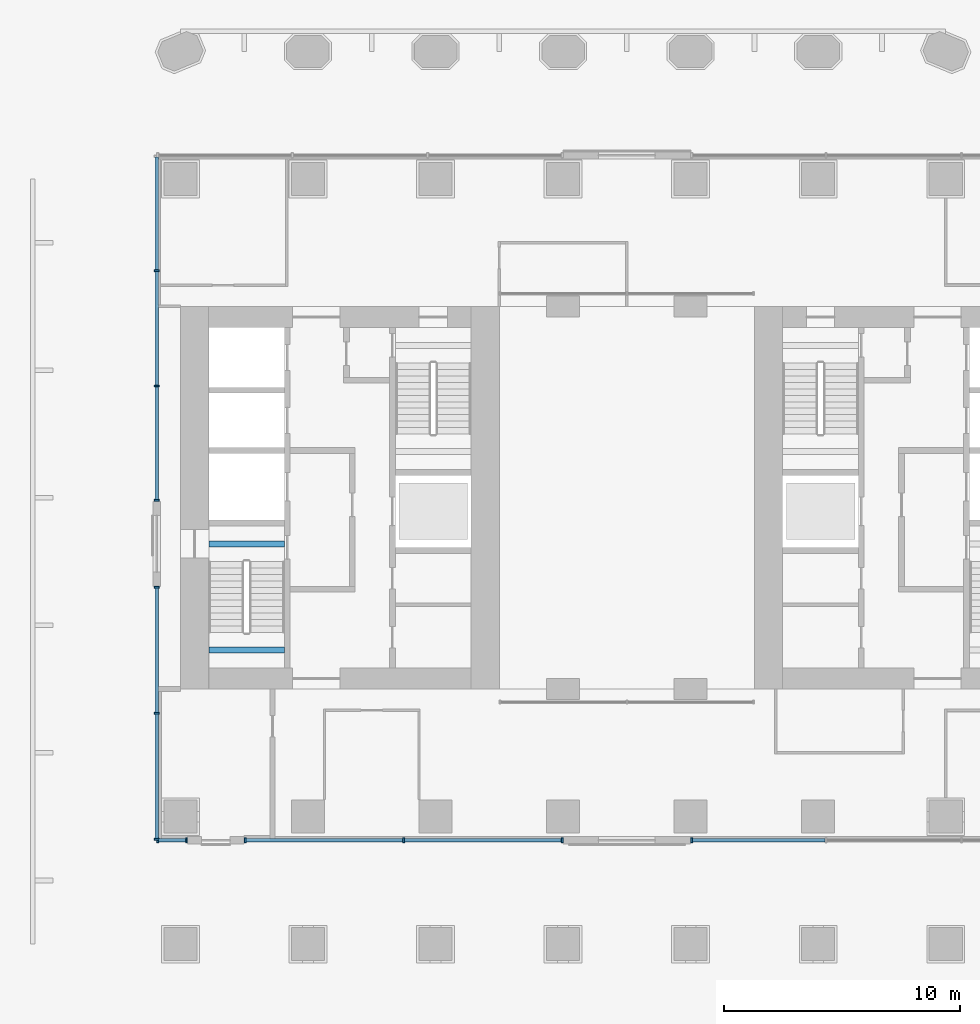
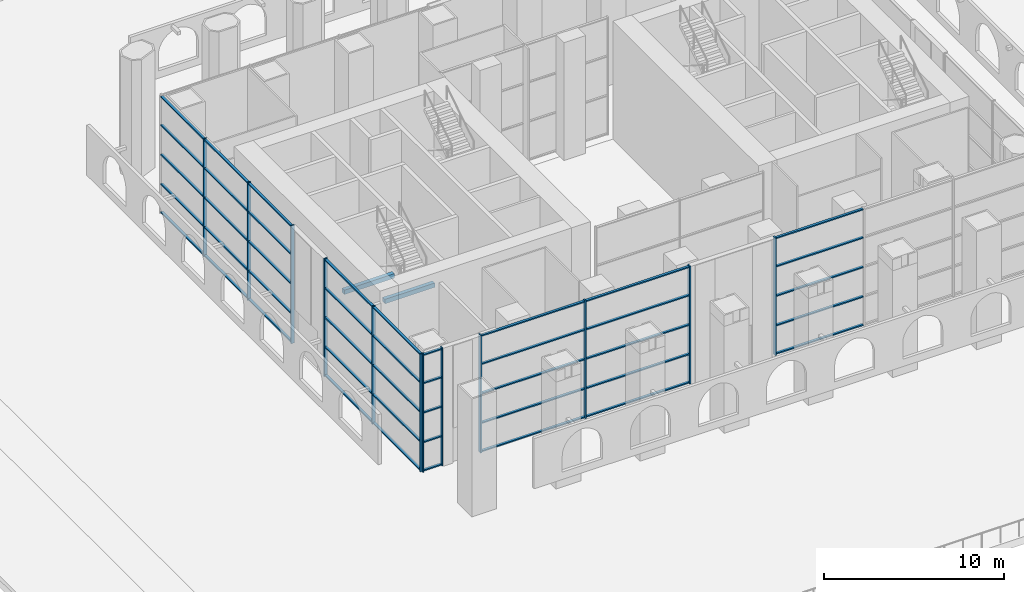
# One storey, part 8 of 54: 57 members, 2 beams, 5 elements without a shape of their own.
"""IFC4 building model written with IfcOpenShell, lengths in metres."""

from ifc_helpers import new_model, si_unit, direction, frame, origin, origin_2d, place, context, subcontext, project, spatial, rectangle, extrude, material, material_profile, profile_set, type_object, element, aggregate, save


model = new_model("IFC4")

# Units and contexts
model_context = context("Model", 3, precision=1e-05, world=origin(), true_north=direction((0.0, 1.0)))
body_context = subcontext(model_context, "Body", "Model", "MODEL_VIEW")
ifc_project = project(units=[si_unit("LENGTHUNIT", "METRE"), si_unit("AREAUNIT", "SQUARE_METRE"), si_unit("VOLUMEUNIT", "CUBIC_METRE"), si_unit("PLANEANGLEUNIT", "RADIAN"), si_unit("MASSUNIT", "GRAM", prefix="KILO")], contexts=[model_context])

# Site, building, storey
site_placement = place(None, origin())
site = spatial("IfcSite", under=ifc_project, at=site_placement, CompositionType="ELEMENT")
building_placement = place(site_placement, origin())
building = spatial("IfcBuilding", under=site, at=building_placement, Name="Tabaq Tower and Sports Hall", CompositionType="ELEMENT")
storey_placement = place(building_placement, origin())
storey = spatial("IfcBuildingStorey", under=building, at=storey_placement, Name="L00", CompositionType="ELEMENT", Elevation=0.0)

# Curtain wall, member
ifc_material_1 = material(Name="Aluminium alloy 6063-T6 framed glazing", Category="aluminium")
curtain_wall_type = type_object("IfcCurtainWallType", Name="CW4 curtain wall", PredefinedType="USERDEFINED", material=ifc_material_1)
curtain_wall_1_placement = place(storey_placement, origin())
curtain_wall_1 = element("IfcCurtainWall", 1, at=curtain_wall_1_placement, inside=storey, type_object=curtain_wall_type, Name="Ground lobby wall S", ObjectType="GROUND LOBBY WALL", PredefinedType="USERDEFINED")
ifc_material_2 = material(Name="Aluminium alloy 6063-T6", Category="aluminium")
ifc_material_profile_1 = material_profile(ifc_material_2, rectangle(XDim=0.219970703125, YDim=0.080078125, at=origin_2d()), Name="MULLION 220x80")
ifc_profile_set_1 = profile_set([ifc_material_profile_1], Name="Aluminium alloy 6063-T6")
member_type_1 = type_object("IfcMemberType", Name="CW4 mullion 220x80", PredefinedType="MULLION", material=ifc_profile_set_1)
member_1_placement = place(storey_placement, frame((27.0400390625, 9.800048828125, 0.0), z_axis=(0.0, 0.0, 1.0), x_axis=(0.0, -1.0, 0.0)))
member_1 = element("IfcMember", 2, at=member_1_placement, type_object=member_type_1, Name="CW4 mullion 4", PredefinedType="MULLION", context=body_context, shape_type="SweptSolid", body=[
    extrude(rectangle(XDim=0.219970703125, YDim=0.080078125, at=origin_2d()), origin(), (0.0, 0.0, 1.0), 8.0),
])

# Curtain wall, members
curtain_wall_2_placement = place(storey_placement, origin())
curtain_wall_2 = element("IfcCurtainWall", 3, at=curtain_wall_2_placement, inside=storey, type_object=curtain_wall_type, Name="Ground lobby wall S", ObjectType="GROUND LOBBY WALL", PredefinedType="USERDEFINED")
member_2_placement = place(storey_placement, frame((21.56005859375, 9.800048828125, 0.0), z_axis=(0.0, 0.0, 1.0), x_axis=(0.0, -1.0, 0.0)))
member_2 = element("IfcMember", 4, at=member_2_placement, type_object=member_type_1, Name="CW4 mullion 1", PredefinedType="MULLION", context=body_context, shape_type="SweptSolid", body=[
    extrude(rectangle(XDim=0.219970703125, YDim=0.080078125, at=origin_2d()), origin(), (0.0, 0.0, 1.0), 8.0),
])
member_3_placement = place(storey_placement, frame((14.85009765625, 9.800048828125, 0.0), z_axis=(0.0, 0.0, 1.0), x_axis=(0.0, -1.0, 0.0)))
member_3 = element("IfcMember", 5, at=member_3_placement, type_object=member_type_1, Name="CW4 mullion 2", PredefinedType="MULLION", context=body_context, shape_type="SweptSolid", body=[
    extrude(rectangle(XDim=0.219970703125, YDim=0.080078125, at=origin_2d()), origin(), (0.0, 0.0, 1.0), 8.0),
])
member_4_placement = place(storey_placement, frame((8.139892578125, 9.800048828125, 0.0), z_axis=(0.0, 0.0, 1.0), x_axis=(0.0, -1.0, 0.0)))
member_4 = element("IfcMember", 6, at=member_4_placement, type_object=member_type_1, Name="CW4 mullion 3", PredefinedType="MULLION", context=body_context, shape_type="SweptSolid", body=[
    extrude(rectangle(XDim=0.219970703125, YDim=0.080078125, at=origin_2d()), origin(), (0.0, 0.0, 1.0), 8.0),
])

curtain_wall_3_placement = place(storey_placement, origin())
curtain_wall_3 = element("IfcCurtainWall", 7, at=curtain_wall_3_placement, inside=storey, type_object=curtain_wall_type, Name="Ground lobby wall S", ObjectType="GROUND LOBBY WALL", PredefinedType="USERDEFINED")
member_5_placement = place(storey_placement, frame((5.659912109375, 9.800048828125, 0.0), z_axis=(0.0, 0.0, 1.0), x_axis=(0.0, -1.0, 0.0)))
member_5 = element("IfcMember", 8, at=member_5_placement, type_object=member_type_1, Name="CW4 mullion 1", PredefinedType="MULLION", context=body_context, shape_type="SweptSolid", body=[
    extrude(rectangle(XDim=0.219970703125, YDim=0.080078125, at=origin_2d()), origin(), (0.0, 0.0, 1.0), 8.0),
])
member_6_placement = place(storey_placement, frame((4.43994140625, 9.800048828125, 0.0), z_axis=(0.0, 0.0, 1.0), x_axis=(0.0, -1.0, 0.0)))
member_6 = element("IfcMember", 9, at=member_6_placement, type_object=member_type_1, Name="CW4 mullion 2", PredefinedType="MULLION", context=body_context, shape_type="SweptSolid", body=[
    extrude(rectangle(XDim=0.219970703125, YDim=0.080078125, at=origin_2d()), origin(), (0.0, 0.0, 1.0), 8.0),
])

curtain_wall_4_placement = place(storey_placement, origin())
curtain_wall_4 = element("IfcCurtainWall", 10, at=curtain_wall_4_placement, inside=storey, type_object=curtain_wall_type, Name="Ground lobby wall W", ObjectType="GROUND LOBBY WALL", PredefinedType="USERDEFINED")
member_7_placement = place(storey_placement, frame((4.39990234375, 9.840087890625, 0.0), z_axis=(0.0, 0.0, 1.0), x_axis=(-1.0, 0.0, 0.0)))
member_7 = element("IfcMember", 11, at=member_7_placement, type_object=member_type_1, Name="CW4 mullion 1", PredefinedType="MULLION", context=body_context, shape_type="SweptSolid", body=[
    extrude(rectangle(XDim=0.219970703125, YDim=0.080078125, at=origin_2d()), origin(), (0.0, 0.0, 1.0), 8.0),
])
member_8_placement = place(storey_placement, frame((4.39990234375, 15.175048828125, 0.0), z_axis=(0.0, 0.0, 1.0), x_axis=(-1.0, 0.0, 0.0)))
member_8 = element("IfcMember", 12, at=member_8_placement, type_object=member_type_1, Name="CW4 mullion 2", PredefinedType="MULLION", context=body_context, shape_type="SweptSolid", body=[
    extrude(rectangle(XDim=0.219970703125, YDim=0.080078125, at=origin_2d()), origin(), (0.0, 0.0, 1.0), 8.0),
])
member_9_placement = place(storey_placement, frame((4.39990234375, 20.510009765625, 0.0), z_axis=(0.0, 0.0, 1.0), x_axis=(-1.0, 0.0, 0.0)))
member_9 = element("IfcMember", 13, at=member_9_placement, type_object=member_type_1, Name="CW4 mullion 3", PredefinedType="MULLION", context=body_context, shape_type="SweptSolid", body=[
    extrude(rectangle(XDim=0.219970703125, YDim=0.080078125, at=origin_2d()), origin(), (0.0, 0.0, 1.0), 8.0),
])

curtain_wall_5_placement = place(storey_placement, origin())
curtain_wall_5 = element("IfcCurtainWall", 14, at=curtain_wall_5_placement, inside=storey, type_object=curtain_wall_type, Name="Ground lobby wall W", ObjectType="GROUND LOBBY WALL", PredefinedType="USERDEFINED")
member_10_placement = place(storey_placement, frame((4.39990234375, 24.18994140625, 0.0), z_axis=(0.0, 0.0, 1.0), x_axis=(-1.0, 0.0, 0.0)))
member_10 = element("IfcMember", 15, at=member_10_placement, type_object=member_type_1, Name="CW4 mullion 1", PredefinedType="MULLION", context=body_context, shape_type="SweptSolid", body=[
    extrude(rectangle(XDim=0.219970703125, YDim=0.080078125, at=origin_2d()), origin(), (0.0, 0.0, 1.0), 8.0),
])
member_11_placement = place(storey_placement, frame((4.39990234375, 29.033447265625, 0.0), z_axis=(0.0, 0.0, 1.0), x_axis=(-1.0, 0.0, 0.0)))
member_11 = element("IfcMember", 16, at=member_11_placement, type_object=member_type_1, Name="CW4 mullion 2", PredefinedType="MULLION", context=body_context, shape_type="SweptSolid", body=[
    extrude(rectangle(XDim=0.219970703125, YDim=0.080078125, at=origin_2d()), origin(), (0.0, 0.0, 1.0), 8.0),
])
member_12_placement = place(storey_placement, frame((4.39990234375, 33.916748046875, 0.0), z_axis=(0.0, 0.0, 1.0), x_axis=(-1.0, 0.0, 0.0)))
member_12 = element("IfcMember", 17, at=member_12_placement, type_object=member_type_1, Name="CW4 mullion 3", PredefinedType="MULLION", context=body_context, shape_type="SweptSolid", body=[
    extrude(rectangle(XDim=0.219970703125, YDim=0.080078125, at=origin_2d()), origin(), (0.0, 0.0, 1.0), 8.0),
])

# Member
ifc_material_3 = material(Name="Aluminium alloy 6063-T6", Category="aluminium")
ifc_material_profile_2 = material_profile(ifc_material_3, rectangle(XDim=0.159912109375, YDim=0.080078125, at=origin_2d()), Name="TRANSOM 160x80")
ifc_profile_set_2 = profile_set([ifc_material_profile_2], Name="Aluminium alloy 6063-T6")
member_type_2 = type_object("IfcMemberType", Name="CW4 transom 160x80", PredefinedType="USERDEFINED", material=ifc_profile_set_2)
member_13_placement = place(storey_placement, frame((32.693359375, 9.800048828125, 0.080078125), z_axis=(-1.0, 0.0, 0.0), x_axis=(0.0, -1.0, 0.0)))
member_13 = element("IfcMember", 18, at=member_13_placement, type_object=member_type_2, Name="CW4 transom 3.1", ObjectType="TRANSOM", PredefinedType="USERDEFINED", context=body_context, shape_type="SweptSolid", body=[
    extrude(rectangle(XDim=0.159912109375, YDim=0.080078125, at=origin_2d()), origin(), (0.0, 0.0, 1.0), 5.61328125),
])

member_14_placement = place(storey_placement, frame((32.693359375, 9.800048828125, 2.0), z_axis=(-1.0, 0.0, 0.0), x_axis=(0.0, -1.0, 0.0)))
member_14 = element("IfcMember", 19, at=member_14_placement, type_object=member_type_2, Name="CW4 transom 3.2", ObjectType="TRANSOM", PredefinedType="USERDEFINED", context=body_context, shape_type="SweptSolid", body=[
    extrude(rectangle(XDim=0.159912109375, YDim=0.080078125, at=origin_2d()), origin(), (0.0, 0.0, 1.0), 5.61328125),
])

member_15_placement = place(storey_placement, frame((32.693359375, 9.800048828125, 4.0), z_axis=(-1.0, 0.0, 0.0), x_axis=(0.0, -1.0, 0.0)))
member_15 = element("IfcMember", 20, at=member_15_placement, type_object=member_type_2, Name="CW4 transom 3.3", ObjectType="TRANSOM", PredefinedType="USERDEFINED", context=body_context, shape_type="SweptSolid", body=[
    extrude(rectangle(XDim=0.159912109375, YDim=0.080078125, at=origin_2d()), origin(), (0.0, 0.0, 1.0), 5.61328125),
])

member_16_placement = place(storey_placement, frame((32.693359375, 9.800048828125, 6.0), z_axis=(-1.0, 0.0, 0.0), x_axis=(0.0, -1.0, 0.0)))
member_16 = element("IfcMember", 21, at=member_16_placement, type_object=member_type_2, Name="CW4 transom 3.4", ObjectType="TRANSOM", PredefinedType="USERDEFINED", context=body_context, shape_type="SweptSolid", body=[
    extrude(rectangle(XDim=0.159912109375, YDim=0.080078125, at=origin_2d()), origin(), (0.0, 0.0, 1.0), 5.61328125),
])

member_17_placement = place(storey_placement, frame((32.693359375, 9.800048828125, 7.919921875), z_axis=(-1.0, 0.0, 0.0), x_axis=(0.0, -1.0, 0.0)))
member_17 = element("IfcMember", 22, at=member_17_placement, type_object=member_type_2, Name="CW4 transom 3.5", ObjectType="TRANSOM", PredefinedType="USERDEFINED", context=body_context, shape_type="SweptSolid", body=[
    extrude(rectangle(XDim=0.159912109375, YDim=0.080078125, at=origin_2d()), origin(), (0.0, 0.0, 1.0), 5.61328125),
])

aggregate(curtain_wall_1, [member_1, member_13, member_14, member_15, member_16, member_17])

member_18_placement = place(storey_placement, frame((21.52001953125, 9.800048828125, 0.080078125), z_axis=(-1.0, 0.0, 0.0), x_axis=(0.0, -1.0, 0.0)))
member_18 = element("IfcMember", 23, at=member_18_placement, type_object=member_type_2, Name="CW4 transom 1.1", ObjectType="TRANSOM", PredefinedType="USERDEFINED", context=body_context, shape_type="SweptSolid", body=[
    extrude(rectangle(XDim=0.159912109375, YDim=0.080078125, at=origin_2d()), origin(), (0.0, 0.0, 1.0), 6.630126953125),
])

member_19_placement = place(storey_placement, frame((21.52001953125, 9.800048828125, 2.0), z_axis=(-1.0, 0.0, 0.0), x_axis=(0.0, -1.0, 0.0)))
member_19 = element("IfcMember", 24, at=member_19_placement, type_object=member_type_2, Name="CW4 transom 1.2", ObjectType="TRANSOM", PredefinedType="USERDEFINED", context=body_context, shape_type="SweptSolid", body=[
    extrude(rectangle(XDim=0.159912109375, YDim=0.080078125, at=origin_2d()), origin(), (0.0, 0.0, 1.0), 6.630126953125),
])

member_20_placement = place(storey_placement, frame((21.52001953125, 9.800048828125, 4.0), z_axis=(-1.0, 0.0, 0.0), x_axis=(0.0, -1.0, 0.0)))
member_20 = element("IfcMember", 25, at=member_20_placement, type_object=member_type_2, Name="CW4 transom 1.3", ObjectType="TRANSOM", PredefinedType="USERDEFINED", context=body_context, shape_type="SweptSolid", body=[
    extrude(rectangle(XDim=0.159912109375, YDim=0.080078125, at=origin_2d()), origin(), (0.0, 0.0, 1.0), 6.630126953125),
])

member_21_placement = place(storey_placement, frame((21.52001953125, 9.800048828125, 6.0), z_axis=(-1.0, 0.0, 0.0), x_axis=(0.0, -1.0, 0.0)))
member_21 = element("IfcMember", 26, at=member_21_placement, type_object=member_type_2, Name="CW4 transom 1.4", ObjectType="TRANSOM", PredefinedType="USERDEFINED", context=body_context, shape_type="SweptSolid", body=[
    extrude(rectangle(XDim=0.159912109375, YDim=0.080078125, at=origin_2d()), origin(), (0.0, 0.0, 1.0), 6.630126953125),
])

member_22_placement = place(storey_placement, frame((21.52001953125, 9.800048828125, 7.919921875), z_axis=(-1.0, 0.0, 0.0), x_axis=(0.0, -1.0, 0.0)))
member_22 = element("IfcMember", 27, at=member_22_placement, type_object=member_type_2, Name="CW4 transom 1.5", ObjectType="TRANSOM", PredefinedType="USERDEFINED", context=body_context, shape_type="SweptSolid", body=[
    extrude(rectangle(XDim=0.159912109375, YDim=0.080078125, at=origin_2d()), origin(), (0.0, 0.0, 1.0), 6.630126953125),
])

member_23_placement = place(storey_placement, frame((14.81005859375, 9.800048828125, 0.080078125), z_axis=(-1.0, 0.0, 0.0), x_axis=(0.0, -1.0, 0.0)))
member_23 = element("IfcMember", 28, at=member_23_placement, type_object=member_type_2, Name="CW4 transom 2.1", ObjectType="TRANSOM", PredefinedType="USERDEFINED", context=body_context, shape_type="SweptSolid", body=[
    extrude(rectangle(XDim=0.159912109375, YDim=0.080078125, at=origin_2d()), origin(), (0.0, 0.0, 1.0), 6.630126953125),
])

member_24_placement = place(storey_placement, frame((14.81005859375, 9.800048828125, 2.0), z_axis=(-1.0, 0.0, 0.0), x_axis=(0.0, -1.0, 0.0)))
member_24 = element("IfcMember", 29, at=member_24_placement, type_object=member_type_2, Name="CW4 transom 2.2", ObjectType="TRANSOM", PredefinedType="USERDEFINED", context=body_context, shape_type="SweptSolid", body=[
    extrude(rectangle(XDim=0.159912109375, YDim=0.080078125, at=origin_2d()), origin(), (0.0, 0.0, 1.0), 6.630126953125),
])

member_25_placement = place(storey_placement, frame((14.81005859375, 9.800048828125, 4.0), z_axis=(-1.0, 0.0, 0.0), x_axis=(0.0, -1.0, 0.0)))
member_25 = element("IfcMember", 30, at=member_25_placement, type_object=member_type_2, Name="CW4 transom 2.3", ObjectType="TRANSOM", PredefinedType="USERDEFINED", context=body_context, shape_type="SweptSolid", body=[
    extrude(rectangle(XDim=0.159912109375, YDim=0.080078125, at=origin_2d()), origin(), (0.0, 0.0, 1.0), 6.630126953125),
])

member_26_placement = place(storey_placement, frame((14.81005859375, 9.800048828125, 6.0), z_axis=(-1.0, 0.0, 0.0), x_axis=(0.0, -1.0, 0.0)))
member_26 = element("IfcMember", 31, at=member_26_placement, type_object=member_type_2, Name="CW4 transom 2.4", ObjectType="TRANSOM", PredefinedType="USERDEFINED", context=body_context, shape_type="SweptSolid", body=[
    extrude(rectangle(XDim=0.159912109375, YDim=0.080078125, at=origin_2d()), origin(), (0.0, 0.0, 1.0), 6.630126953125),
])

member_27_placement = place(storey_placement, frame((14.81005859375, 9.800048828125, 7.919921875), z_axis=(-1.0, 0.0, 0.0), x_axis=(0.0, -1.0, 0.0)))
member_27 = element("IfcMember", 32, at=member_27_placement, type_object=member_type_2, Name="CW4 transom 2.5", ObjectType="TRANSOM", PredefinedType="USERDEFINED", context=body_context, shape_type="SweptSolid", body=[
    extrude(rectangle(XDim=0.159912109375, YDim=0.080078125, at=origin_2d()), origin(), (0.0, 0.0, 1.0), 6.630126953125),
])

aggregate(curtain_wall_2, [member_2, member_3, member_4, member_18, member_19, member_20, member_21, member_22, member_23, member_24, member_25, member_26, member_27])

member_28_placement = place(storey_placement, frame((5.6201171875, 9.800048828125, 0.080078125), z_axis=(-1.0, 0.0, 0.0), x_axis=(0.0, -1.0, 0.0)))
member_28 = element("IfcMember", 33, at=member_28_placement, type_object=member_type_2, Name="CW4 transom 1.1", ObjectType="TRANSOM", PredefinedType="USERDEFINED", context=body_context, shape_type="SweptSolid", body=[
    extrude(rectangle(XDim=0.159912109375, YDim=0.080078125, at=origin_2d()), origin(), (0.0, 0.0, 1.0), 1.14013671875),
])

member_29_placement = place(storey_placement, frame((5.6201171875, 9.800048828125, 2.0), z_axis=(-1.0, 0.0, 0.0), x_axis=(0.0, -1.0, 0.0)))
member_29 = element("IfcMember", 34, at=member_29_placement, type_object=member_type_2, Name="CW4 transom 1.2", ObjectType="TRANSOM", PredefinedType="USERDEFINED", context=body_context, shape_type="SweptSolid", body=[
    extrude(rectangle(XDim=0.159912109375, YDim=0.080078125, at=origin_2d()), origin(), (0.0, 0.0, 1.0), 1.14013671875),
])

member_30_placement = place(storey_placement, frame((5.6201171875, 9.800048828125, 4.0), z_axis=(-1.0, 0.0, 0.0), x_axis=(0.0, -1.0, 0.0)))
member_30 = element("IfcMember", 35, at=member_30_placement, type_object=member_type_2, Name="CW4 transom 1.3", ObjectType="TRANSOM", PredefinedType="USERDEFINED", context=body_context, shape_type="SweptSolid", body=[
    extrude(rectangle(XDim=0.159912109375, YDim=0.080078125, at=origin_2d()), origin(), (0.0, 0.0, 1.0), 1.14013671875),
])

member_31_placement = place(storey_placement, frame((5.6201171875, 9.800048828125, 6.0), z_axis=(-1.0, 0.0, 0.0), x_axis=(0.0, -1.0, 0.0)))
member_31 = element("IfcMember", 36, at=member_31_placement, type_object=member_type_2, Name="CW4 transom 1.4", ObjectType="TRANSOM", PredefinedType="USERDEFINED", context=body_context, shape_type="SweptSolid", body=[
    extrude(rectangle(XDim=0.159912109375, YDim=0.080078125, at=origin_2d()), origin(), (0.0, 0.0, 1.0), 1.14013671875),
])

member_32_placement = place(storey_placement, frame((5.6201171875, 9.800048828125, 7.919921875), z_axis=(-1.0, 0.0, 0.0), x_axis=(0.0, -1.0, 0.0)))
member_32 = element("IfcMember", 37, at=member_32_placement, type_object=member_type_2, Name="CW4 transom 1.5", ObjectType="TRANSOM", PredefinedType="USERDEFINED", context=body_context, shape_type="SweptSolid", body=[
    extrude(rectangle(XDim=0.159912109375, YDim=0.080078125, at=origin_2d()), origin(), (0.0, 0.0, 1.0), 1.14013671875),
])

aggregate(curtain_wall_3, [member_5, member_6, member_28, member_29, member_30, member_31, member_32])

member_33_placement = place(storey_placement, frame((4.39990234375, 9.8798828125, 0.080078125), z_axis=(0.0, 1.0, 0.0), x_axis=(-1.0, 0.0, 0.0)))
member_33 = element("IfcMember", 38, at=member_33_placement, type_object=member_type_2, Name="CW4 transom 1.1", ObjectType="TRANSOM", PredefinedType="USERDEFINED", context=body_context, shape_type="SweptSolid", body=[
    extrude(rectangle(XDim=0.159912109375, YDim=0.080078125, at=origin_2d()), origin(), (0.0, 0.0, 1.0), 5.255126953125),
])

member_34_placement = place(storey_placement, frame((4.39990234375, 9.8798828125, 2.0), z_axis=(0.0, 1.0, 0.0), x_axis=(-1.0, 0.0, 0.0)))
member_34 = element("IfcMember", 39, at=member_34_placement, type_object=member_type_2, Name="CW4 transom 1.2", ObjectType="TRANSOM", PredefinedType="USERDEFINED", context=body_context, shape_type="SweptSolid", body=[
    extrude(rectangle(XDim=0.159912109375, YDim=0.080078125, at=origin_2d()), origin(), (0.0, 0.0, 1.0), 5.255126953125),
])

member_35_placement = place(storey_placement, frame((4.39990234375, 9.8798828125, 4.0), z_axis=(0.0, 1.0, 0.0), x_axis=(-1.0, 0.0, 0.0)))
member_35 = element("IfcMember", 40, at=member_35_placement, type_object=member_type_2, Name="CW4 transom 1.3", ObjectType="TRANSOM", PredefinedType="USERDEFINED", context=body_context, shape_type="SweptSolid", body=[
    extrude(rectangle(XDim=0.159912109375, YDim=0.080078125, at=origin_2d()), origin(), (0.0, 0.0, 1.0), 5.255126953125),
])

member_36_placement = place(storey_placement, frame((4.39990234375, 9.8798828125, 6.0), z_axis=(0.0, 1.0, 0.0), x_axis=(-1.0, 0.0, 0.0)))
member_36 = element("IfcMember", 41, at=member_36_placement, type_object=member_type_2, Name="CW4 transom 1.4", ObjectType="TRANSOM", PredefinedType="USERDEFINED", context=body_context, shape_type="SweptSolid", body=[
    extrude(rectangle(XDim=0.159912109375, YDim=0.080078125, at=origin_2d()), origin(), (0.0, 0.0, 1.0), 5.255126953125),
])

member_37_placement = place(storey_placement, frame((4.39990234375, 9.8798828125, 7.919921875), z_axis=(0.0, 1.0, 0.0), x_axis=(-1.0, 0.0, 0.0)))
member_37 = element("IfcMember", 42, at=member_37_placement, type_object=member_type_2, Name="CW4 transom 1.5", ObjectType="TRANSOM", PredefinedType="USERDEFINED", context=body_context, shape_type="SweptSolid", body=[
    extrude(rectangle(XDim=0.159912109375, YDim=0.080078125, at=origin_2d()), origin(), (0.0, 0.0, 1.0), 5.255126953125),
])

member_38_placement = place(storey_placement, frame((4.39990234375, 15.215087890625, 0.080078125), z_axis=(0.0, 1.0, 0.0), x_axis=(-1.0, 0.0, 0.0)))
member_38 = element("IfcMember", 43, at=member_38_placement, type_object=member_type_2, Name="CW4 transom 2.1", ObjectType="TRANSOM", PredefinedType="USERDEFINED", context=body_context, shape_type="SweptSolid", body=[
    extrude(rectangle(XDim=0.159912109375, YDim=0.080078125, at=origin_2d()), origin(), (0.0, 0.0, 1.0), 5.2548828125),
])

member_39_placement = place(storey_placement, frame((4.39990234375, 15.215087890625, 2.0), z_axis=(0.0, 1.0, 0.0), x_axis=(-1.0, 0.0, 0.0)))
member_39 = element("IfcMember", 44, at=member_39_placement, type_object=member_type_2, Name="CW4 transom 2.2", ObjectType="TRANSOM", PredefinedType="USERDEFINED", context=body_context, shape_type="SweptSolid", body=[
    extrude(rectangle(XDim=0.159912109375, YDim=0.080078125, at=origin_2d()), origin(), (0.0, 0.0, 1.0), 5.2548828125),
])

member_40_placement = place(storey_placement, frame((4.39990234375, 15.215087890625, 4.0), z_axis=(0.0, 1.0, 0.0), x_axis=(-1.0, 0.0, 0.0)))
member_40 = element("IfcMember", 45, at=member_40_placement, type_object=member_type_2, Name="CW4 transom 2.3", ObjectType="TRANSOM", PredefinedType="USERDEFINED", context=body_context, shape_type="SweptSolid", body=[
    extrude(rectangle(XDim=0.159912109375, YDim=0.080078125, at=origin_2d()), origin(), (0.0, 0.0, 1.0), 5.2548828125),
])

member_41_placement = place(storey_placement, frame((4.39990234375, 15.215087890625, 6.0), z_axis=(0.0, 1.0, 0.0), x_axis=(-1.0, 0.0, 0.0)))
member_41 = element("IfcMember", 46, at=member_41_placement, type_object=member_type_2, Name="CW4 transom 2.4", ObjectType="TRANSOM", PredefinedType="USERDEFINED", context=body_context, shape_type="SweptSolid", body=[
    extrude(rectangle(XDim=0.159912109375, YDim=0.080078125, at=origin_2d()), origin(), (0.0, 0.0, 1.0), 5.2548828125),
])

member_42_placement = place(storey_placement, frame((4.39990234375, 15.215087890625, 7.919921875), z_axis=(0.0, 1.0, 0.0), x_axis=(-1.0, 0.0, 0.0)))
member_42 = element("IfcMember", 47, at=member_42_placement, type_object=member_type_2, Name="CW4 transom 2.5", ObjectType="TRANSOM", PredefinedType="USERDEFINED", context=body_context, shape_type="SweptSolid", body=[
    extrude(rectangle(XDim=0.159912109375, YDim=0.080078125, at=origin_2d()), origin(), (0.0, 0.0, 1.0), 5.2548828125),
])

aggregate(curtain_wall_4, [member_7, member_8, member_9, member_33, member_34, member_35, member_36, member_37, member_38, member_39, member_40, member_41, member_42])

member_43_placement = place(storey_placement, frame((4.39990234375, 24.22998046875, 0.080078125), z_axis=(0.0, 1.0, 0.0), x_axis=(-1.0, 0.0, 0.0)))
member_43 = element("IfcMember", 48, at=member_43_placement, type_object=member_type_2, Name="CW4 transom 1.1", ObjectType="TRANSOM", PredefinedType="USERDEFINED", context=body_context, shape_type="SweptSolid", body=[
    extrude(rectangle(XDim=0.159912109375, YDim=0.080078125, at=origin_2d()), origin(), (0.0, 0.0, 1.0), 4.763427734375),
])

member_44_placement = place(storey_placement, frame((4.39990234375, 24.22998046875, 2.0), z_axis=(0.0, 1.0, 0.0), x_axis=(-1.0, 0.0, 0.0)))
member_44 = element("IfcMember", 49, at=member_44_placement, type_object=member_type_2, Name="CW4 transom 1.2", ObjectType="TRANSOM", PredefinedType="USERDEFINED", context=body_context, shape_type="SweptSolid", body=[
    extrude(rectangle(XDim=0.159912109375, YDim=0.080078125, at=origin_2d()), origin(), (0.0, 0.0, 1.0), 4.763427734375),
])

member_45_placement = place(storey_placement, frame((4.39990234375, 24.22998046875, 4.0), z_axis=(0.0, 1.0, 0.0), x_axis=(-1.0, 0.0, 0.0)))
member_45 = element("IfcMember", 50, at=member_45_placement, type_object=member_type_2, Name="CW4 transom 1.3", ObjectType="TRANSOM", PredefinedType="USERDEFINED", context=body_context, shape_type="SweptSolid", body=[
    extrude(rectangle(XDim=0.159912109375, YDim=0.080078125, at=origin_2d()), origin(), (0.0, 0.0, 1.0), 4.763427734375),
])

member_46_placement = place(storey_placement, frame((4.39990234375, 24.22998046875, 6.0), z_axis=(0.0, 1.0, 0.0), x_axis=(-1.0, 0.0, 0.0)))
member_46 = element("IfcMember", 51, at=member_46_placement, type_object=member_type_2, Name="CW4 transom 1.4", ObjectType="TRANSOM", PredefinedType="USERDEFINED", context=body_context, shape_type="SweptSolid", body=[
    extrude(rectangle(XDim=0.159912109375, YDim=0.080078125, at=origin_2d()), origin(), (0.0, 0.0, 1.0), 4.763427734375),
])

member_47_placement = place(storey_placement, frame((4.39990234375, 24.22998046875, 7.919921875), z_axis=(0.0, 1.0, 0.0), x_axis=(-1.0, 0.0, 0.0)))
member_47 = element("IfcMember", 52, at=member_47_placement, type_object=member_type_2, Name="CW4 transom 1.5", ObjectType="TRANSOM", PredefinedType="USERDEFINED", context=body_context, shape_type="SweptSolid", body=[
    extrude(rectangle(XDim=0.159912109375, YDim=0.080078125, at=origin_2d()), origin(), (0.0, 0.0, 1.0), 4.763427734375),
])

member_48_placement = place(storey_placement, frame((4.39990234375, 29.0732421875, 0.080078125), z_axis=(0.0, 1.0, 0.0), x_axis=(-1.0, 0.0, 0.0)))
member_48 = element("IfcMember", 53, at=member_48_placement, type_object=member_type_2, Name="CW4 transom 2.1", ObjectType="TRANSOM", PredefinedType="USERDEFINED", context=body_context, shape_type="SweptSolid", body=[
    extrude(rectangle(XDim=0.159912109375, YDim=0.080078125, at=origin_2d()), origin(), (0.0, 0.0, 1.0), 4.803466796875),
])

member_49_placement = place(storey_placement, frame((4.39990234375, 29.0732421875, 2.0), z_axis=(0.0, 1.0, 0.0), x_axis=(-1.0, 0.0, 0.0)))
member_49 = element("IfcMember", 54, at=member_49_placement, type_object=member_type_2, Name="CW4 transom 2.2", ObjectType="TRANSOM", PredefinedType="USERDEFINED", context=body_context, shape_type="SweptSolid", body=[
    extrude(rectangle(XDim=0.159912109375, YDim=0.080078125, at=origin_2d()), origin(), (0.0, 0.0, 1.0), 4.803466796875),
])

member_50_placement = place(storey_placement, frame((4.39990234375, 29.0732421875, 4.0), z_axis=(0.0, 1.0, 0.0), x_axis=(-1.0, 0.0, 0.0)))
member_50 = element("IfcMember", 55, at=member_50_placement, type_object=member_type_2, Name="CW4 transom 2.3", ObjectType="TRANSOM", PredefinedType="USERDEFINED", context=body_context, shape_type="SweptSolid", body=[
    extrude(rectangle(XDim=0.159912109375, YDim=0.080078125, at=origin_2d()), origin(), (0.0, 0.0, 1.0), 4.803466796875),
])

member_51_placement = place(storey_placement, frame((4.39990234375, 29.0732421875, 6.0), z_axis=(0.0, 1.0, 0.0), x_axis=(-1.0, 0.0, 0.0)))
member_51 = element("IfcMember", 56, at=member_51_placement, type_object=member_type_2, Name="CW4 transom 2.4", ObjectType="TRANSOM", PredefinedType="USERDEFINED", context=body_context, shape_type="SweptSolid", body=[
    extrude(rectangle(XDim=0.159912109375, YDim=0.080078125, at=origin_2d()), origin(), (0.0, 0.0, 1.0), 4.803466796875),
])

member_52_placement = place(storey_placement, frame((4.39990234375, 29.0732421875, 7.919921875), z_axis=(0.0, 1.0, 0.0), x_axis=(-1.0, 0.0, 0.0)))
member_52 = element("IfcMember", 57, at=member_52_placement, type_object=member_type_2, Name="CW4 transom 2.5", ObjectType="TRANSOM", PredefinedType="USERDEFINED", context=body_context, shape_type="SweptSolid", body=[
    extrude(rectangle(XDim=0.159912109375, YDim=0.080078125, at=origin_2d()), origin(), (0.0, 0.0, 1.0), 4.803466796875),
])

member_53_placement = place(storey_placement, frame((4.39990234375, 33.956787109375, 0.080078125), z_axis=(0.0, 1.0, 0.0), x_axis=(-1.0, 0.0, 0.0)))
member_53 = element("IfcMember", 58, at=member_53_placement, type_object=member_type_2, Name="CW4 transom 3.1", ObjectType="TRANSOM", PredefinedType="USERDEFINED", context=body_context, shape_type="SweptSolid", body=[
    extrude(rectangle(XDim=0.159912109375, YDim=0.080078125, at=origin_2d()), origin(), (0.0, 0.0, 1.0), 4.76318359375),
])

member_54_placement = place(storey_placement, frame((4.39990234375, 33.956787109375, 2.0), z_axis=(0.0, 1.0, 0.0), x_axis=(-1.0, 0.0, 0.0)))
member_54 = element("IfcMember", 59, at=member_54_placement, type_object=member_type_2, Name="CW4 transom 3.2", ObjectType="TRANSOM", PredefinedType="USERDEFINED", context=body_context, shape_type="SweptSolid", body=[
    extrude(rectangle(XDim=0.159912109375, YDim=0.080078125, at=origin_2d()), origin(), (0.0, 0.0, 1.0), 4.76318359375),
])

member_55_placement = place(storey_placement, frame((4.39990234375, 33.956787109375, 4.0), z_axis=(0.0, 1.0, 0.0), x_axis=(-1.0, 0.0, 0.0)))
member_55 = element("IfcMember", 60, at=member_55_placement, type_object=member_type_2, Name="CW4 transom 3.3", ObjectType="TRANSOM", PredefinedType="USERDEFINED", context=body_context, shape_type="SweptSolid", body=[
    extrude(rectangle(XDim=0.159912109375, YDim=0.080078125, at=origin_2d()), origin(), (0.0, 0.0, 1.0), 4.76318359375),
])

member_56_placement = place(storey_placement, frame((4.39990234375, 33.956787109375, 6.0), z_axis=(0.0, 1.0, 0.0), x_axis=(-1.0, 0.0, 0.0)))
member_56 = element("IfcMember", 61, at=member_56_placement, type_object=member_type_2, Name="CW4 transom 3.4", ObjectType="TRANSOM", PredefinedType="USERDEFINED", context=body_context, shape_type="SweptSolid", body=[
    extrude(rectangle(XDim=0.159912109375, YDim=0.080078125, at=origin_2d()), origin(), (0.0, 0.0, 1.0), 4.76318359375),
])

member_57_placement = place(storey_placement, frame((4.39990234375, 33.956787109375, 7.919921875), z_axis=(0.0, 1.0, 0.0), x_axis=(-1.0, 0.0, 0.0)))
member_57 = element("IfcMember", 62, at=member_57_placement, type_object=member_type_2, Name="CW4 transom 3.5", ObjectType="TRANSOM", PredefinedType="USERDEFINED", context=body_context, shape_type="SweptSolid", body=[
    extrude(rectangle(XDim=0.159912109375, YDim=0.080078125, at=origin_2d()), origin(), (0.0, 0.0, 1.0), 4.76318359375),
])

aggregate(curtain_wall_5, [member_10, member_11, member_12, member_43, member_44, member_45, member_46, member_47, member_48, member_49, member_50, member_51, member_52, member_53, member_54, member_55, member_56, member_57])

# Beams
ifc_material_4 = material(Name="Concrete C40/50", Category="concrete")
ifc_material_profile_3 = material_profile(ifc_material_4, rectangle(XDim=0.25, YDim=0.300048828125, at=origin_2d()), Name="RC 250x300")
ifc_profile_set_3 = profile_set([ifc_material_profile_3], Name="Concrete C40/50")
beam_type = type_object("IfcBeamType", Name="Stair landing beam 250x300", PredefinedType="BEAM", material=ifc_profile_set_3)
for number, where, z_axis, x_axis, name in (
    (63, (6.60009765625, 22.35009765625, 3.85009765625), (1.0, 0.0, 0.0), (0.0, 1.0, 0.0), "L00 ST1 landing beam 2"),
    (64, (6.60009765625, 17.85009765625, 5.949951171875), (1.0, 0.0, 0.0), (0.0, 1.0, 0.0), "L00 ST1 landing beam 3"),
):
    element("IfcBeam", number, at=place(storey_placement, frame(where, z_axis=z_axis, x_axis=x_axis)), inside=storey, type_object=beam_type, Name=name, PredefinedType="BEAM", context=body_context, shape_type="SweptSolid", body=[
        extrude(rectangle(XDim=0.25, YDim=0.300048828125, at=origin_2d()), origin(), (0.0, 0.0, 1.0), 3.199951171875),
    ])

save(model, "model.ifc")
